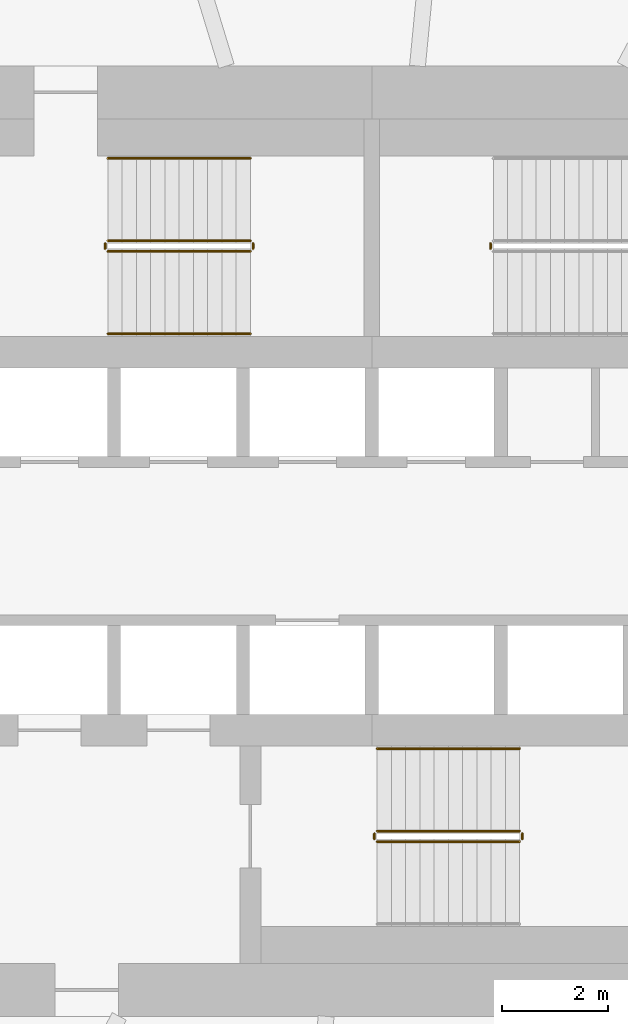
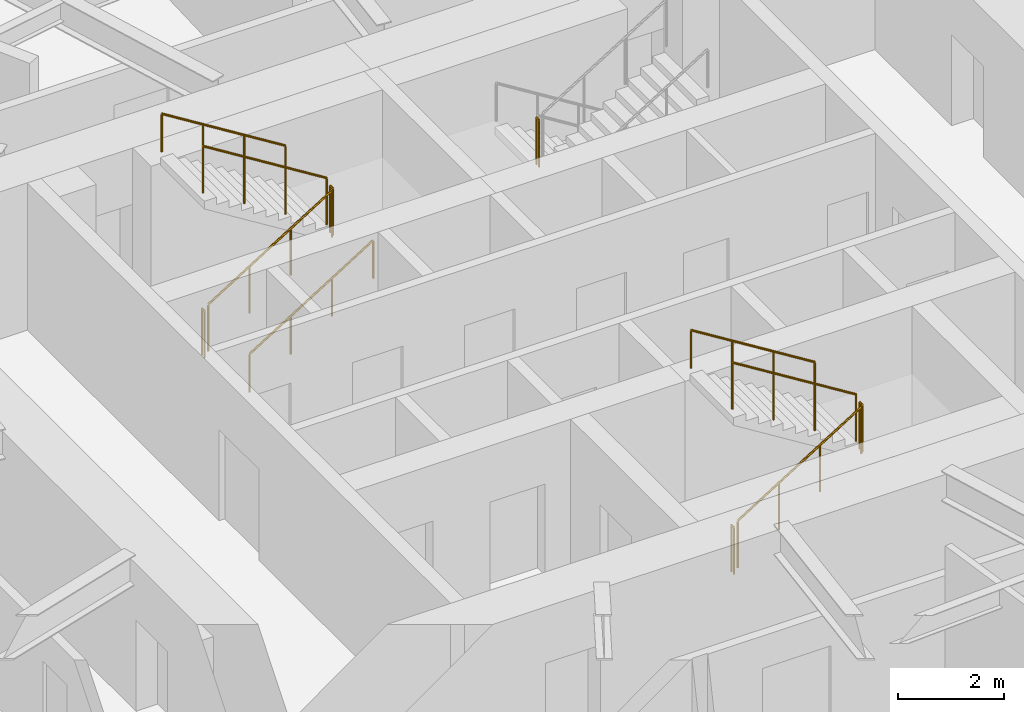
# One storey, part 13 of 16: 12 railings.
"""IFC4 building model written with IfcOpenShell, lengths in metres."""

from ifc_helpers import new_model, si_unit, direction, frame, origin, origin_2d, place, context, subcontext, project, spatial, circle, extrude, material, type_object, element, save


model = new_model("IFC4")

# Units and contexts
model_context = context("Model", 3, precision=1e-05, world=origin(), true_north=direction((0.0, 1.0)))
body_context = subcontext(model_context, "Body", "Model", "MODEL_VIEW")
ifc_project = project(units=[si_unit("LENGTHUNIT", "METRE"), si_unit("AREAUNIT", "SQUARE_METRE"), si_unit("VOLUMEUNIT", "CUBIC_METRE"), si_unit("PLANEANGLEUNIT", "RADIAN"), si_unit("MASSUNIT", "GRAM", prefix="KILO")], contexts=[model_context])

# Site, building, storey
site_placement = place(None, origin())
site = spatial("IfcSite", under=ifc_project, at=site_placement, CompositionType="ELEMENT")
building_placement = place(site_placement, origin())
building = spatial("IfcBuilding", under=site, at=building_placement, Name="Vermilion Reach Broadcast Tower", CompositionType="ELEMENT")
storey_placement = place(building_placement, frame((0.0, 0.0, 65.60009765625)))
storey = spatial("IfcBuildingStorey", under=building, at=storey_placement, Name="L13", CompositionType="ELEMENT", Elevation=65.60009765625)

# Railings
ifc_material_1 = material(Name="Stainless steel", Category="steel")
railing_type_1 = type_object("IfcRailingType", Name="Stair guard 1100", PredefinedType="GUARDRAIL", material=ifc_material_1)
railing_1_placement = place(storey_placement, frame((-11.0, 5.489990234375, 0.16796875)))
element("IfcRailing", 1, at=railing_1_placement, inside=storey, type_object=railing_type_1, Name="L13 ST1 stair guard 1", PredefinedType="GUARDRAIL", context=body_context, shape_type="SweptSolid", body=[
    extrude(circle(Radius=0.02392578125, at=origin_2d()), frame((0.0, 0.0, 1.076171875), z_axis=(0.848786430784, 0.0, 0.528735846068), x_axis=(0.0, 1.0, 0.0)), (0.0, 0.0, 1.0), 3.180908203125),
    extrude(circle(Radius=0.02099609375, at=origin_2d()), origin(), (0.0, 0.0, 1.0), 1.052001953125),
    extrude(circle(Radius=0.02099609375, at=origin_2d()), frame((0.89990234375, 0.0, 0.560546875)), (0.0, 0.0, 1.0), 1.052001953125),
    extrude(circle(Radius=0.02099609375, at=origin_2d()), frame((1.800048828125, 0.0, 1.121337890625)), (0.0, 0.0, 1.0), 1.052001953125),
    extrude(circle(Radius=0.02099609375, at=origin_2d()), frame((2.699951171875, 0.0, 1.681884765625)), (0.0, 0.0, 1.0), 1.052001953125),
])
railing_2_placement = place(storey_placement, frame((-8.25, 5.5400390625, 1.849853515625)))
element("IfcRailing", 2, at=railing_2_placement, inside=storey, type_object=railing_type_1, Name="L13 ST1 stair guard 2", PredefinedType="GUARDRAIL", context=body_context, shape_type="SweptSolid", body=[
    extrude(circle(Radius=0.02392578125, at=origin_2d()), frame((0.0, 0.0, 1.076171875), z_axis=(0.0, 1.0, 0.0), x_axis=(-1.0, 0.0, 0.0)), (0.0, 0.0, 1.0), 0.099853515625),
    extrude(circle(Radius=0.02099609375, at=origin_2d()), origin(), (0.0, 0.0, 1.0), 1.052001953125),
    extrude(circle(Radius=0.02099609375, at=origin_2d()), frame((0.0, 0.099853515625, 0.0)), (0.0, 0.0, 1.0), 1.052001953125),
])
railing_3_placement = place(storey_placement, frame((-8.300048828125, 5.68994140625, 2.01806640625)))
element("IfcRailing", 3, at=railing_3_placement, inside=storey, type_object=railing_type_1, Name="L13 ST1 stair guard 3", PredefinedType="GUARDRAIL", context=body_context, shape_type="SweptSolid", body=[
    extrude(circle(Radius=0.02392578125, at=origin_2d()), frame((0.0, 0.0, 1.076171875), z_axis=(-0.848786430784, 0.0, 0.528735846068), x_axis=(0.0, -1.0, 0.0)), (0.0, 0.0, 1.0), 3.180908203125),
    extrude(circle(Radius=0.02099609375, at=origin_2d()), origin(), (0.0, 0.0, 1.0), 1.052001953125),
    extrude(circle(Radius=0.02099609375, at=origin_2d()), frame((-0.89990234375, 0.0, 0.560546875)), (0.0, 0.0, 1.0), 1.052001953125),
    extrude(circle(Radius=0.02099609375, at=origin_2d()), frame((-1.800048828125, 0.0, 1.121337890625)), (0.0, 0.0, 1.0), 1.052001953125),
    extrude(circle(Radius=0.02099609375, at=origin_2d()), frame((-2.699951171875, 0.0, 1.681884765625)), (0.0, 0.0, 1.0), 1.052001953125),
])
railing_4_placement = place(storey_placement, frame((-11.050048828125, 5.5400390625, 0.0)))
element("IfcRailing", 4, at=railing_4_placement, inside=storey, type_object=railing_type_1, Name="L13 ST1 stair guard 4", PredefinedType="GUARDRAIL", context=body_context, shape_type="SweptSolid", body=[
    extrude(circle(Radius=0.02392578125, at=origin_2d()), frame((0.0, 0.0, 1.076171875), z_axis=(0.0, 1.0, 0.0), x_axis=(-1.0, 0.0, 0.0)), (0.0, 0.0, 1.0), 0.099853515625),
    extrude(circle(Radius=0.02099609375, at=origin_2d()), origin(), (0.0, 0.0, 1.0), 1.052001953125),
    extrude(circle(Radius=0.02099609375, at=origin_2d()), frame((0.0, 0.099853515625, 0.0)), (0.0, 0.0, 1.0), 1.052001953125),
])
railing_5_placement = place(storey_placement, frame((-3.75, 5.639892578125, 1.849853515625)))
element("IfcRailing", 5, at=railing_5_placement, inside=storey, type_object=railing_type_1, Name="L13 ST2 stair guard 2", PredefinedType="GUARDRAIL", context=body_context, shape_type="SweptSolid", body=[
    extrude(circle(Radius=0.02392578125, at=origin_2d()), frame((0.0, 0.0, 1.076171875), z_axis=(0.0, -1.0, 0.0), x_axis=(1.0, 0.0, 0.0)), (0.0, 0.0, 1.0), 0.099853515625),
    extrude(circle(Radius=0.02099609375, at=origin_2d()), origin(), (0.0, 0.0, 1.0), 1.052001953125),
    extrude(circle(Radius=0.02099609375, at=origin_2d()), frame((0.0, -0.099853515625, 0.0)), (0.0, 0.0, 1.0), 1.052001953125),
])
railing_6_placement = place(storey_placement, frame((-5.89990234375, -5.68994140625, 0.16796875)))
element("IfcRailing", 6, at=railing_6_placement, inside=storey, type_object=railing_type_1, Name="L13 ST3 stair guard 1", PredefinedType="GUARDRAIL", context=body_context, shape_type="SweptSolid", body=[
    extrude(circle(Radius=0.02392578125, at=origin_2d()), frame((0.0, 0.0, 1.076171875), z_axis=(0.848786430784, 0.0, 0.528735846068), x_axis=(0.0, 1.0, 0.0)), (0.0, 0.0, 1.0), 3.180908203125),
    extrude(circle(Radius=0.02099609375, at=origin_2d()), origin(), (0.0, 0.0, 1.0), 1.052001953125),
    extrude(circle(Radius=0.02099609375, at=origin_2d()), frame((0.89990234375, 0.0, 0.560546875)), (0.0, 0.0, 1.0), 1.052001953125),
    extrude(circle(Radius=0.02099609375, at=origin_2d()), frame((1.800048828125, 0.0, 1.121337890625)), (0.0, 0.0, 1.0), 1.052001953125),
    extrude(circle(Radius=0.02099609375, at=origin_2d()), frame((2.699951171875, 0.0, 1.681884765625)), (0.0, 0.0, 1.0), 1.052001953125),
])
railing_7_placement = place(storey_placement, frame((-3.14990234375, -5.639892578125, 1.849853515625)))
element("IfcRailing", 7, at=railing_7_placement, inside=storey, type_object=railing_type_1, Name="L13 ST3 stair guard 2", PredefinedType="GUARDRAIL", context=body_context, shape_type="SweptSolid", body=[
    extrude(circle(Radius=0.02392578125, at=origin_2d()), frame((0.0, 0.0, 1.076171875), z_axis=(0.0, 1.0, 0.0), x_axis=(-1.0, 0.0, 0.0)), (0.0, 0.0, 1.0), 0.099853515625),
    extrude(circle(Radius=0.02099609375, at=origin_2d()), origin(), (0.0, 0.0, 1.0), 1.052001953125),
    extrude(circle(Radius=0.02099609375, at=origin_2d()), frame((0.0, 0.099853515625, 0.0)), (0.0, 0.0, 1.0), 1.052001953125),
])
railing_8_placement = place(storey_placement, frame((-3.199951171875, -5.489990234375, 2.01806640625)))
element("IfcRailing", 8, at=railing_8_placement, inside=storey, type_object=railing_type_1, Name="L13 ST3 stair guard 3", PredefinedType="GUARDRAIL", context=body_context, shape_type="SweptSolid", body=[
    extrude(circle(Radius=0.02392578125, at=origin_2d()), frame((0.0, 0.0, 1.076171875), z_axis=(-0.848786430784, 0.0, 0.528735846068), x_axis=(0.0, -1.0, 0.0)), (0.0, 0.0, 1.0), 3.180908203125),
    extrude(circle(Radius=0.02099609375, at=origin_2d()), origin(), (0.0, 0.0, 1.0), 1.052001953125),
    extrude(circle(Radius=0.02099609375, at=origin_2d()), frame((-0.89990234375, 0.0, 0.560546875)), (0.0, 0.0, 1.0), 1.052001953125),
    extrude(circle(Radius=0.02099609375, at=origin_2d()), frame((-1.800048828125, 0.0, 1.121337890625)), (0.0, 0.0, 1.0), 1.052001953125),
    extrude(circle(Radius=0.02099609375, at=origin_2d()), frame((-2.699951171875, 0.0, 1.681884765625)), (0.0, 0.0, 1.0), 1.052001953125),
])
railing_9_placement = place(storey_placement, frame((-5.949951171875, -5.639892578125, 0.0)))
element("IfcRailing", 9, at=railing_9_placement, inside=storey, type_object=railing_type_1, Name="L13 ST3 stair guard 4", PredefinedType="GUARDRAIL", context=body_context, shape_type="SweptSolid", body=[
    extrude(circle(Radius=0.02392578125, at=origin_2d()), frame((0.0, 0.0, 1.076171875), z_axis=(0.0, 1.0, 0.0), x_axis=(-1.0, 0.0, 0.0)), (0.0, 0.0, 1.0), 0.099853515625),
    extrude(circle(Radius=0.02099609375, at=origin_2d()), origin(), (0.0, 0.0, 1.0), 1.052001953125),
    extrude(circle(Radius=0.02099609375, at=origin_2d()), frame((0.0, 0.099853515625, 0.0)), (0.0, 0.0, 1.0), 1.052001953125),
])
ifc_material_2 = material(Name="Stainless steel", Category="steel")
railing_type_2 = type_object("IfcRailingType", Name="Stair handrail", PredefinedType="HANDRAIL", material=ifc_material_2)
railing_10_placement = place(storey_placement, frame((-11.0, 3.929931640625, 0.16796875)))
element("IfcRailing", 10, at=railing_10_placement, inside=storey, type_object=railing_type_2, Name="L13 ST1 stair handrail 1", PredefinedType="HANDRAIL", context=body_context, shape_type="SweptSolid", body=[
    extrude(circle(Radius=0.02392578125, at=origin_2d()), frame((0.0, 0.0, 0.8759765625), z_axis=(0.848786430784, 0.0, 0.528735846068), x_axis=(0.0, 1.0, 0.0)), (0.0, 0.0, 1.0), 3.180908203125),
    extrude(circle(Radius=0.02099609375, at=origin_2d()), origin(), (0.0, 0.0, 1.0), 0.851806640625),
    extrude(circle(Radius=0.02099609375, at=origin_2d()), frame((0.89990234375, 0.0, 0.560546875)), (0.0, 0.0, 1.0), 0.851806640625),
    extrude(circle(Radius=0.02099609375, at=origin_2d()), frame((1.800048828125, 0.0, 1.121337890625)), (0.0, 0.0, 1.0), 0.851806640625),
    extrude(circle(Radius=0.02099609375, at=origin_2d()), frame((2.699951171875, 0.0, 1.681884765625)), (0.0, 0.0, 1.0), 0.851806640625),
])
for number, where, name in (
    (11, (-8.300048828125, 7.25, 2.01806640625), "L13 ST1 stair handrail 2"),
    (12, (-3.199951171875, -3.929931640625, 2.01806640625), "L13 ST3 stair handrail 2"),
):
    element("IfcRailing", number, at=place(storey_placement, frame(where)), inside=storey, type_object=railing_type_2, Name=name, PredefinedType="HANDRAIL", context=body_context, shape_type="SweptSolid", body=[
        extrude(circle(Radius=0.02392578125, at=origin_2d()), frame((0.0, 0.0, 0.8759765625), z_axis=(-0.848786430784, 0.0, 0.528735846068), x_axis=(0.0, -1.0, 0.0)), (0.0, 0.0, 1.0), 3.180908203125),
        extrude(circle(Radius=0.02099609375, at=origin_2d()), origin(), (0.0, 0.0, 1.0), 0.851806640625),
        extrude(circle(Radius=0.02099609375, at=origin_2d()), frame((-0.89990234375, 0.0, 0.560546875)), (0.0, 0.0, 1.0), 0.851806640625),
        extrude(circle(Radius=0.02099609375, at=origin_2d()), frame((-1.800048828125, 0.0, 1.121337890625)), (0.0, 0.0, 1.0), 0.851806640625),
        extrude(circle(Radius=0.02099609375, at=origin_2d()), frame((-2.699951171875, 0.0, 1.681884765625)), (0.0, 0.0, 1.0), 0.851806640625),
    ])

save(model, "model.ifc")
